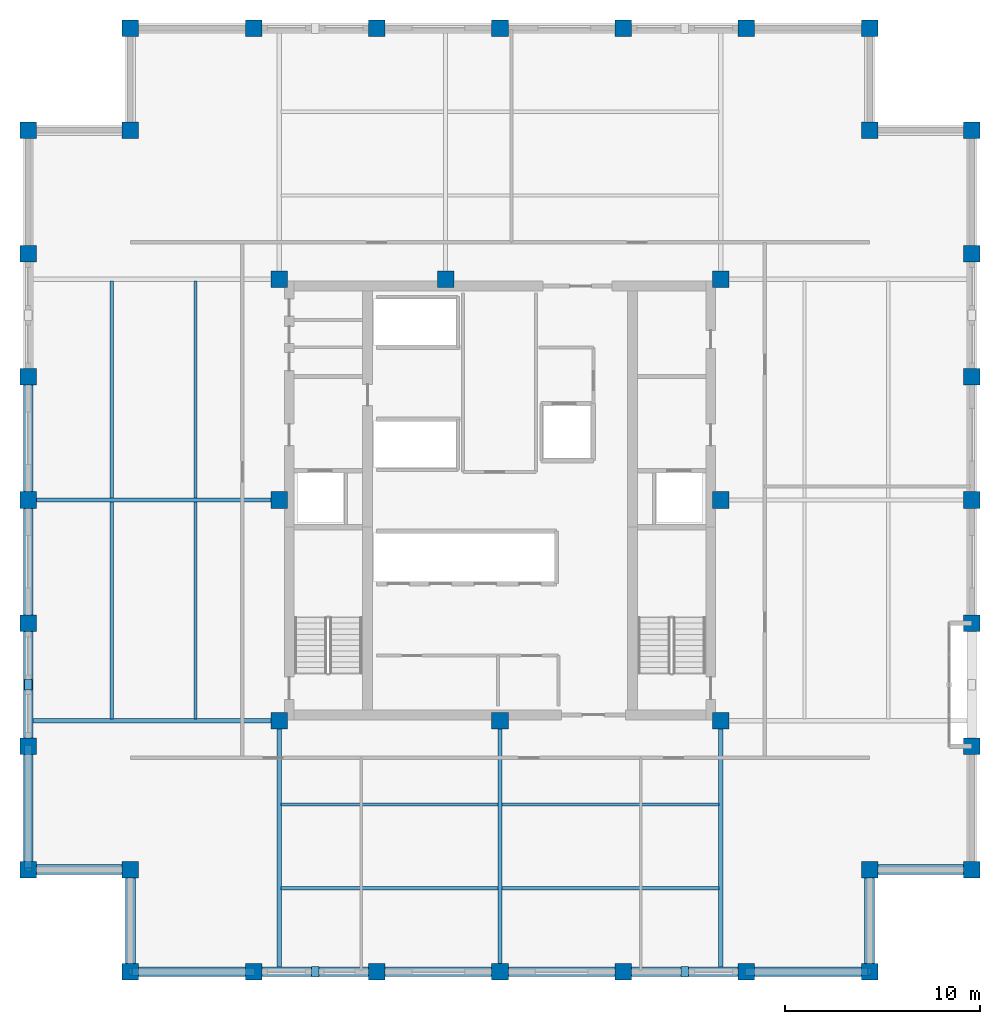
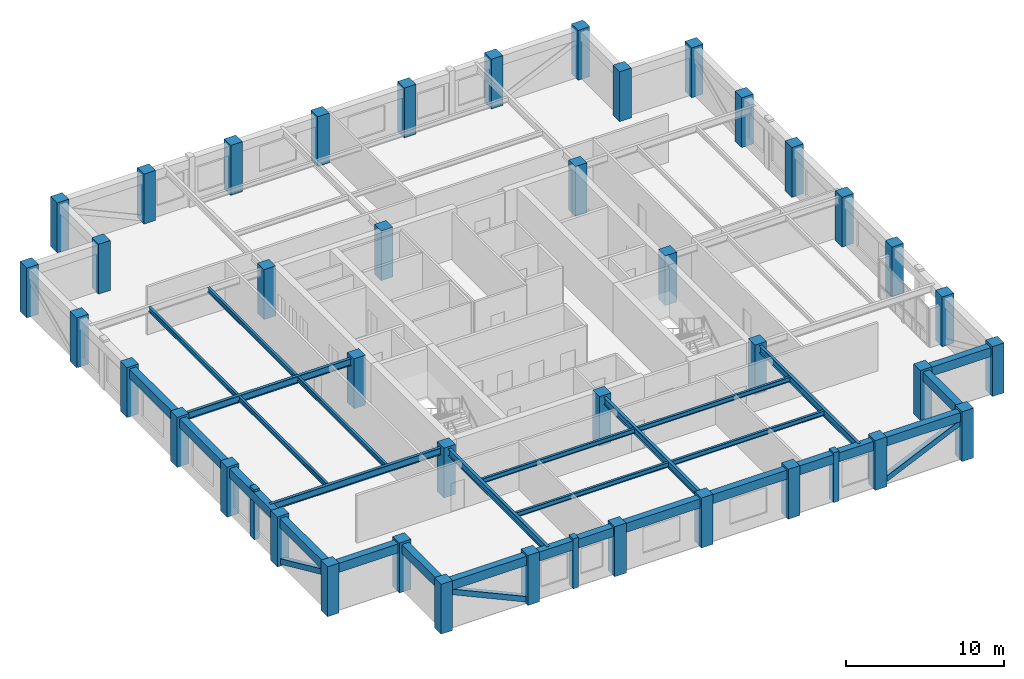
# One storey, part 1 of 8: 40 columns, 27 beams, 6 members.
"""IFC4 building model written with IfcOpenShell, lengths in metres."""

from ifc_helpers import new_model, si_unit, direction, frame, origin, origin_2d, place, context, subcontext, project, spatial, rectangle, hollow_rectangle, i_section, extrude, material, material_profile, profile_set, type_object, element, save


model = new_model("IFC4")

# Units and contexts
model_context = context("Model", 3, precision=1e-05, world=origin(), true_north=direction((0.0, 1.0)))
body_context = subcontext(model_context, "Body", "Model", "MODEL_VIEW")
ifc_project = project(units=[si_unit("LENGTHUNIT", "METRE"), si_unit("AREAUNIT", "SQUARE_METRE"), si_unit("VOLUMEUNIT", "CUBIC_METRE"), si_unit("PLANEANGLEUNIT", "RADIAN"), si_unit("MASSUNIT", "GRAM", prefix="KILO")], contexts=[model_context])

# Site, building, storey
site_placement = place(None, origin())
site = spatial("IfcSite", under=ifc_project, at=site_placement, CompositionType="ELEMENT")
building_placement = place(site_placement, origin())
building = spatial("IfcBuilding", under=site, at=building_placement, Name="Nhamokura Convention Tower", CompositionType="ELEMENT")
storey_placement = place(building_placement, frame((0.0, 0.0, 240.800048828125)))
storey = spatial("IfcBuildingStorey", under=building, at=storey_placement, Name="L59", CompositionType="ELEMENT", Elevation=240.800048828125)

# Columns
ifc_material_1 = material(Name="Concrete C50/60", Category="concrete")
ifc_material_profile_1 = material_profile(ifc_material_1, rectangle(XDim=0.85009765625, YDim=0.85009765625, at=origin_2d()))
ifc_profile_set_1 = profile_set([ifc_material_profile_1], Name="Concrete C50/60")
column_type = type_object("IfcColumnType", Name="TubeColumn_Z3_850", PredefinedType="COLUMN", material=ifc_profile_set_1)
for number, where, z_axis, x_axis, name in (
    (1, (20.64990234375, 20.64990234375, 0.0), (0.0, 0.0, 1.0), (1.0, 0.0, 0.0), "L59 Core Column CC-SW"),
    (2, (32.0, 20.64990234375, 0.0), (0.0, 0.0, 1.0), (1.0, 0.0, 0.0), "L59 Core Column CC-S"),
    (3, (43.35009765625, 20.64990234375, 0.0), (0.0, 0.0, 1.0), (1.0, 0.0, 0.0), "L59 Core Column CC-SE"),
    (4, (43.35009765625, 32.0, 0.0), (0.0, 0.0, 1.0), (1.0, 0.0, 0.0), "L59 Core Column CC-E"),
    (5, (43.35009765625, 43.35009765625, 0.0), (0.0, 0.0, 1.0), (1.0, 0.0, 0.0), "L59 Core Column CC-NE"),
    (6, (29.199951171875, 43.35009765625, 0.0), (0.0, 0.0, 1.0), (1.0, 0.0, 0.0), "L59 Core Column CC-N"),
    (7, (20.64990234375, 43.35009765625, 0.0), (0.0, 0.0, 1.0), (1.0, 0.0, 0.0), "L59 Core Column CC-NW"),
    (8, (20.64990234375, 32.0, 0.0), (0.0, 0.0, 1.0), (1.0, 0.0, 0.0), "L59 Core Column CC-W"),
    (9, (13.0, 7.75, 0.0), (0.0, 0.0, 1.0), (1.0, 0.0, 0.0), "L59 Perimeter Tube Column SW1"),
    (10, (13.0, 13.0, 0.0), (0.0, 0.0, 1.0), (1.0, 0.0, 0.0), "L59 Perimeter Tube Column SW0"),
    (11, (7.75, 13.0, 0.0), (0.0, 0.0, 1.0), (1.0, 0.0, 0.0), "L59 Perimeter Tube Column SW2"),
    (12, (51.0, 7.75, 0.0), (0.0, 0.0, 1.0), (1.0, 0.0, 0.0), "L59 Perimeter Tube Column SE1"),
    (13, (51.0, 13.0, 0.0), (0.0, 0.0, 1.0), (1.0, 0.0, 0.0), "L59 Perimeter Tube Column SE0"),
    (14, (56.25, 13.0, 0.0), (0.0, 0.0, 1.0), (1.0, 0.0, 0.0), "L59 Perimeter Tube Column SE2"),
    (15, (56.25, 51.0, 0.0), (0.0, 0.0, 1.0), (1.0, 0.0, 0.0), "L59 Perimeter Tube Column NE1"),
    (16, (51.0, 51.0, 0.0), (0.0, 0.0, 1.0), (1.0, 0.0, 0.0), "L59 Perimeter Tube Column NE0"),
    (17, (51.0, 56.25, 0.0), (0.0, 0.0, 1.0), (1.0, 0.0, 0.0), "L59 Perimeter Tube Column NE2"),
    (18, (13.0, 56.25, 0.0), (0.0, 0.0, 1.0), (1.0, 0.0, 0.0), "L59 Perimeter Tube Column NW1"),
    (19, (13.0, 51.0, 0.0), (0.0, 0.0, 1.0), (1.0, 0.0, 0.0), "L59 Perimeter Tube Column NW0"),
    (20, (7.75, 51.0, 0.0), (0.0, 0.0, 1.0), (1.0, 0.0, 0.0), "L59 Perimeter Tube Column NW2"),
    (21, (19.333251953125, 7.75, 0.0), (0.0, 0.0, 1.0), (1.0, 0.0, 0.0), "L59 Perimeter Tube Column S1"),
    (22, (19.333251953125, 56.25, 0.0), (0.0, 0.0, 1.0), (1.0, 0.0, 0.0), "L59 Perimeter Tube Column N1"),
    (23, (7.75, 19.333251953125, 0.0), (0.0, 0.0, 1.0), (1.0, 0.0, 0.0), "L59 Perimeter Tube Column W1"),
    (24, (56.25, 19.333251953125, 0.0), (0.0, 0.0, 1.0), (1.0, 0.0, 0.0), "L59 Perimeter Tube Column E1"),
    (25, (25.666748046875, 7.75, 0.0), (0.0, 0.0, 1.0), (1.0, 0.0, 0.0), "L59 Perimeter Tube Column S2"),
    (26, (25.666748046875, 56.25, 0.0), (0.0, 0.0, 1.0), (1.0, 0.0, 0.0), "L59 Perimeter Tube Column N2"),
    (27, (7.75, 25.666748046875, 0.0), (0.0, 0.0, 1.0), (1.0, 0.0, 0.0), "L59 Perimeter Tube Column W2"),
    (28, (56.25, 25.666748046875, 0.0), (0.0, 0.0, 1.0), (1.0, 0.0, 0.0), "L59 Perimeter Tube Column E2"),
    (29, (32.0, 7.75, 0.0), (0.0, 0.0, 1.0), (1.0, 0.0, 0.0), "L59 Perimeter Tube Column S3"),
    (30, (32.0, 56.25, 0.0), (0.0, 0.0, 1.0), (1.0, 0.0, 0.0), "L59 Perimeter Tube Column N3"),
    (31, (7.75, 32.0, 0.0), (0.0, 0.0, 1.0), (1.0, 0.0, 0.0), "L59 Perimeter Tube Column W3"),
    (32, (56.25, 32.0, 0.0), (0.0, 0.0, 1.0), (1.0, 0.0, 0.0), "L59 Perimeter Tube Column E3"),
    (33, (38.333251953125, 7.75, 0.0), (0.0, 0.0, 1.0), (1.0, 0.0, 0.0), "L59 Perimeter Tube Column S4"),
    (34, (38.333251953125, 56.25, 0.0), (0.0, 0.0, 1.0), (1.0, 0.0, 0.0), "L59 Perimeter Tube Column N4"),
    (35, (7.75, 38.333251953125, 0.0), (0.0, 0.0, 1.0), (1.0, 0.0, 0.0), "L59 Perimeter Tube Column W4"),
    (36, (56.25, 38.333251953125, 0.0), (0.0, 0.0, 1.0), (1.0, 0.0, 0.0), "L59 Perimeter Tube Column E4"),
    (37, (44.666748046875, 7.75, 0.0), (0.0, 0.0, 1.0), (1.0, 0.0, 0.0), "L59 Perimeter Tube Column S5"),
    (38, (44.666748046875, 56.25, 0.0), (0.0, 0.0, 1.0), (1.0, 0.0, 0.0), "L59 Perimeter Tube Column N5"),
    (39, (7.75, 44.666748046875, 0.0), (0.0, 0.0, 1.0), (1.0, 0.0, 0.0), "L59 Perimeter Tube Column W5"),
    (40, (56.25, 44.666748046875, 0.0), (0.0, 0.0, 1.0), (1.0, 0.0, 0.0), "L59 Perimeter Tube Column E5"),
):
    element("IfcColumn", number, at=place(storey_placement, frame(where, z_axis=z_axis, x_axis=x_axis)), inside=storey, type_object=column_type, Name=name, PredefinedType="COLUMN", context=body_context, shape_type="SweptSolid", body=[
        extrude(rectangle(XDim=0.85009765625, YDim=0.85009765625, at=origin_2d()), origin(), (0.0, 0.0, 1.0), 3.849853515625),
    ])

# Members
ifc_material_2 = material(Name="Bronze-pigmented precast concrete C45/55", Category="concrete")
ifc_material_profile_2 = material_profile(ifc_material_2, rectangle(XDim=0.39990234375, YDim=0.550048828125, at=origin_2d()))
ifc_profile_set_2 = profile_set([ifc_material_profile_2], Name="Bronze-pigmented precast concrete C45/55")
member_type_1 = type_object("IfcMemberType", Name="BronzePilaster_550", PredefinedType="USERDEFINED", material=ifc_profile_set_2)
for number, where, z_axis, x_axis, name in (
    (41, (22.5, 7.75, 0.0), (0.0, 0.0, 1.0), (1.0, 0.0, 0.0), "L59 Engaged Frame Pilaster SOUTH 1"),
    (42, (41.5, 7.75, 0.0), (0.0, 0.0, 1.0), (1.0, 0.0, 0.0), "L59 Engaged Frame Pilaster SOUTH 4"),
    (43, (7.75, 22.5, 0.0), (0.0, 0.0, 1.0), (1.0, 0.0, 0.0), "L59 Engaged Frame Pilaster WEST 1"),
):
    element("IfcMember", number, at=place(storey_placement, frame(where, z_axis=z_axis, x_axis=x_axis)), inside=storey, type_object=member_type_1, Name=name, ObjectType="PILASTER_TRIM", PredefinedType="USERDEFINED", context=body_context, shape_type="SweptSolid", body=[
        extrude(rectangle(XDim=0.39990234375, YDim=0.550048828125, at=origin_2d()), origin(), (0.0, 0.0, 1.0), 3.849853515625),
    ])

# Beams
ifc_material_3 = material(Name="Steel ASTM A992 Gr 50", Category="steel")
ifc_material_profile_3 = material_profile(ifc_material_3, i_section(OverallWidth=0.172119140625, OverallDepth=0.35791015625, WebThickness=0.0078125, FlangeThickness=0.01318359375, at=origin_2d()))
ifc_profile_set_3 = profile_set([ifc_material_profile_3], Name="Steel ASTM A992 Gr 50")
beam_type_1 = type_object("IfcBeamType", Name="FloorJoist_W360X57", PredefinedType="JOIST", material=ifc_profile_set_3)
for number, where, z_axis, x_axis, name in (
    (44, (20.75341796875, 12.050048828125, 3.505859375), (1.0, 0.0, 0.0), (0.0, 1.0, 0.0), "L59 Composite Floor Joist S1A"),
    (45, (32.103515625, 12.050048828125, 3.505859375), (1.0, 0.0, 0.0), (0.0, 1.0, 0.0), "L59 Composite Floor Joist S1B"),
    (46, (20.75341796875, 16.35009765625, 3.505859375), (1.0, 0.0, 0.0), (0.0, 1.0, 0.0), "L59 Composite Floor Joist S2A"),
    (47, (32.103515625, 16.35009765625, 3.505859375), (1.0, 0.0, 0.0), (0.0, 1.0, 0.0), "L59 Composite Floor Joist S2B"),
    (48, (12.050048828125, 20.75341796875, 3.505859375), (0.0, 1.0, 0.0), (-1.0, 0.0, 0.0), "L59 Composite Floor Joist W1A"),
    (49, (12.050048828125, 32.103515625, 3.505859375), (0.0, 1.0, 0.0), (-1.0, 0.0, 0.0), "L59 Composite Floor Joist W1B"),
    (50, (16.35009765625, 20.75341796875, 3.505859375), (0.0, 1.0, 0.0), (-1.0, 0.0, 0.0), "L59 Composite Floor Joist W2A"),
    (51, (16.35009765625, 32.103515625, 3.505859375), (0.0, 1.0, 0.0), (-1.0, 0.0, 0.0), "L59 Composite Floor Joist W2B"),
):
    element("IfcBeam", number, at=place(storey_placement, frame(where, z_axis=z_axis, x_axis=x_axis)), inside=storey, type_object=beam_type_1, Name=name, PredefinedType="JOIST", context=body_context, shape_type="SweptSolid", body=[
        extrude(i_section(OverallWidth=0.172119140625, OverallDepth=0.35791015625, WebThickness=0.0078125, FlangeThickness=0.01318359375, at=origin_2d()), origin(), (0.0, 0.0, 1.0), 11.14306640625),
    ])
ifc_material_4 = material(Name="Steel ASTM A992 Gr 50", Category="steel")
ifc_material_profile_4 = material_profile(ifc_material_4, i_section(OverallWidth=0.2109375, OverallDepth=0.5390625, WebThickness=0.01171875, FlangeThickness=0.018798828125, at=origin_2d()))
ifc_profile_set_4 = profile_set([ifc_material_profile_4], Name="Steel ASTM A992 Gr 50")
beam_type_2 = type_object("IfcBeamType", Name="PrimaryGirder_W530X109", PredefinedType="BEAM", material=ifc_profile_set_4)
for number, where, z_axis, x_axis, name in (
    (52, (20.64990234375, 7.75, 3.41552734375), (0.0, 1.0, 0.0), (-1.0, 0.0, 0.0), "L59 Primary Floor Girder PG-S1"),
    (53, (32.0, 7.75, 3.41552734375), (0.0, 1.0, 0.0), (-1.0, 0.0, 0.0), "L59 Primary Floor Girder PG-S2"),
    (54, (43.35009765625, 7.75, 3.41552734375), (0.0, 1.0, 0.0), (-1.0, 0.0, 0.0), "L59 Primary Floor Girder PG-S3"),
    (55, (7.75, 20.64990234375, 3.41552734375), (1.0, 0.0, 0.0), (0.0, 1.0, 0.0), "L59 Primary Floor Girder PG-W1"),
    (56, (7.75, 32.0, 3.41552734375), (1.0, 0.0, 0.0), (0.0, 1.0, 0.0), "L59 Primary Floor Girder PG-W2"),
):
    element("IfcBeam", number, at=place(storey_placement, frame(where, z_axis=z_axis, x_axis=x_axis)), inside=storey, type_object=beam_type_2, Name=name, PredefinedType="BEAM", context=body_context, shape_type="SweptSolid", body=[
        extrude(i_section(OverallWidth=0.2109375, OverallDepth=0.5390625, WebThickness=0.01171875, FlangeThickness=0.018798828125, at=origin_2d()), origin(), (0.0, 0.0, 1.0), 12.89990234375),
    ])

# Members
ifc_material_5 = material(Name="Steel ASTM A572 Gr 50", Category="steel")
ifc_material_profile_5 = material_profile(ifc_material_5, hollow_rectangle(XDim=0.39990234375, YDim=0.39990234375, WallThickness=0.02001953125, at=origin_2d()))
ifc_profile_set_5 = profile_set([ifc_material_profile_5], Name="Steel ASTM A572 Gr 50")
member_type_2 = type_object("IfcMemberType", Name="TubeBrace_HSS400", PredefinedType="BRACE", material=ifc_profile_set_5)
for number, where, z_axis, x_axis, name in (
    (57, (19.333251953125, 7.75, 0.14990234375), (-0.910027379678, 0.0, 0.41454814948), (0.0, -1.0, 0.0), "L59 Perimeter Tube Brace SOUTH Bay 0"),
    (58, (44.666748046875, 7.75, 0.14990234375), (0.910027379678, 0.0, 0.41454814948), (0.0, 1.0, 0.0), "L59 Perimeter Tube Brace SOUTH Bay 5"),
    (59, (7.75, 19.333251953125, 0.14990234375), (0.0, -0.910027379678, 0.41454814948), (1.0, 0.0, 0.0), "L59 Perimeter Tube Brace WEST Bay 0"),
):
    element("IfcMember", number, at=place(storey_placement, frame(where, z_axis=z_axis, x_axis=x_axis)), inside=storey, type_object=member_type_2, Name=name, PredefinedType="BRACE", context=body_context, shape_type="SweptSolid", body=[
        extrude(hollow_rectangle(XDim=0.39990234375, YDim=0.39990234375, WallThickness=0.02001953125, at=origin_2d()), origin(), (0.0, 0.0, 1.0), 6.95947265625),
    ])

# Beams
ifc_material_6 = material(Name="Concrete C50/60", Category="concrete")
ifc_material_profile_6 = material_profile(ifc_material_6, rectangle(XDim=0.5, YDim=0.699951171875, at=origin_2d()))
ifc_profile_set_6 = profile_set([ifc_material_profile_6], Name="Concrete C50/60")
beam_type_3 = type_object("IfcBeamType", Name="TubeSpandrel_700", PredefinedType="SPANDREL", material=ifc_profile_set_6)
beam_1_placement = place(storey_placement, frame((13.0, 7.75, 3.3349609375), z_axis=(1.0, 0.0, 0.0), x_axis=(0.0, 1.0, 0.0)))
element("IfcBeam", 60, at=beam_1_placement, inside=storey, type_object=beam_type_3, Name="L59 Perimeter Spandrel SOUTH 1", PredefinedType="SPANDREL", context=body_context, shape_type="SweptSolid", body=[
    extrude(rectangle(XDim=0.5, YDim=0.699951171875, at=origin_2d()), origin(), (0.0, 0.0, 1.0), 6.333251953125),
])
beam_2_placement = place(storey_placement, frame((19.333251953125, 7.75, 3.3349609375), z_axis=(1.0, 0.0, 0.0), x_axis=(0.0, 1.0, 0.0)))
element("IfcBeam", 61, at=beam_2_placement, inside=storey, type_object=beam_type_3, Name="L59 Perimeter Spandrel SOUTH 2", PredefinedType="SPANDREL", context=body_context, shape_type="SweptSolid", body=[
    extrude(rectangle(XDim=0.5, YDim=0.699951171875, at=origin_2d()), origin(), (0.0, 0.0, 1.0), 6.33349609375),
])
for number, where, z_axis, x_axis, name in (
    (62, (25.666748046875, 7.75, 3.3349609375), (1.0, 0.0, 0.0), (0.0, 1.0, 0.0), "L59 Perimeter Spandrel SOUTH 3"),
    (63, (32.0, 7.75, 3.3349609375), (1.0, 0.0, 0.0), (0.0, 1.0, 0.0), "L59 Perimeter Spandrel SOUTH 4"),
):
    element("IfcBeam", number, at=place(storey_placement, frame(where, z_axis=z_axis, x_axis=x_axis)), inside=storey, type_object=beam_type_3, Name=name, PredefinedType="SPANDREL", context=body_context, shape_type="SweptSolid", body=[
        extrude(rectangle(XDim=0.5, YDim=0.699951171875, at=origin_2d()), origin(), (0.0, 0.0, 1.0), 6.333251953125),
    ])
beam_3_placement = place(storey_placement, frame((38.333251953125, 7.75, 3.3349609375), z_axis=(1.0, 0.0, 0.0), x_axis=(0.0, 1.0, 0.0)))
element("IfcBeam", 64, at=beam_3_placement, inside=storey, type_object=beam_type_3, Name="L59 Perimeter Spandrel SOUTH 5", PredefinedType="SPANDREL", context=body_context, shape_type="SweptSolid", body=[
    extrude(rectangle(XDim=0.5, YDim=0.699951171875, at=origin_2d()), origin(), (0.0, 0.0, 1.0), 6.33349609375),
])
for number, where, z_axis, x_axis, name in (
    (65, (44.666748046875, 7.75, 3.3349609375), (1.0, 0.0, 0.0), (0.0, 1.0, 0.0), "L59 Perimeter Spandrel SOUTH 6"),
    (66, (7.75, 13.0, 3.3349609375), (0.0, 1.0, 0.0), (-1.0, 0.0, 0.0), "L59 Perimeter Spandrel WEST 1"),
):
    element("IfcBeam", number, at=place(storey_placement, frame(where, z_axis=z_axis, x_axis=x_axis)), inside=storey, type_object=beam_type_3, Name=name, PredefinedType="SPANDREL", context=body_context, shape_type="SweptSolid", body=[
        extrude(rectangle(XDim=0.5, YDim=0.699951171875, at=origin_2d()), origin(), (0.0, 0.0, 1.0), 6.333251953125),
    ])
beam_4_placement = place(storey_placement, frame((7.75, 19.333251953125, 3.3349609375), z_axis=(0.0, 1.0, 0.0), x_axis=(-1.0, 0.0, 0.0)))
element("IfcBeam", 67, at=beam_4_placement, inside=storey, type_object=beam_type_3, Name="L59 Perimeter Spandrel WEST 2", PredefinedType="SPANDREL", context=body_context, shape_type="SweptSolid", body=[
    extrude(rectangle(XDim=0.5, YDim=0.699951171875, at=origin_2d()), origin(), (0.0, 0.0, 1.0), 6.33349609375),
])
for number, where, z_axis, x_axis, name in (
    (68, (7.75, 25.666748046875, 3.3349609375), (0.0, 1.0, 0.0), (-1.0, 0.0, 0.0), "L59 Perimeter Spandrel WEST 3"),
    (69, (7.75, 32.0, 3.3349609375), (0.0, 1.0, 0.0), (-1.0, 0.0, 0.0), "L59 Perimeter Spandrel WEST 4"),
):
    element("IfcBeam", number, at=place(storey_placement, frame(where, z_axis=z_axis, x_axis=x_axis)), inside=storey, type_object=beam_type_3, Name=name, PredefinedType="SPANDREL", context=body_context, shape_type="SweptSolid", body=[
        extrude(rectangle(XDim=0.5, YDim=0.699951171875, at=origin_2d()), origin(), (0.0, 0.0, 1.0), 6.333251953125),
    ])
for number, where, z_axis, x_axis, name in (
    (70, (13.0, 7.75, 3.3349609375), (0.0, 1.0, 0.0), (-1.0, 0.0, 0.0), "L59 Notch Spandrel SW1"),
    (71, (13.0, 13.0, 3.3349609375), (-1.0, 0.0, 0.0), (0.0, -1.0, 0.0), "L59 Notch Spandrel SW2"),
    (72, (51.0, 7.75, 3.3349609375), (0.0, 1.0, 0.0), (-1.0, 0.0, 0.0), "L59 Notch Spandrel SE1"),
    (73, (51.0, 13.0, 3.3349609375), (1.0, 0.0, 0.0), (0.0, 1.0, 0.0), "L59 Notch Spandrel SE2"),
):
    element("IfcBeam", number, at=place(storey_placement, frame(where, z_axis=z_axis, x_axis=x_axis)), inside=storey, type_object=beam_type_3, Name=name, PredefinedType="SPANDREL", context=body_context, shape_type="SweptSolid", body=[
        extrude(rectangle(XDim=0.5, YDim=0.699951171875, at=origin_2d()), origin(), (0.0, 0.0, 1.0), 5.25),
    ])

save(model, "model.ifc")
